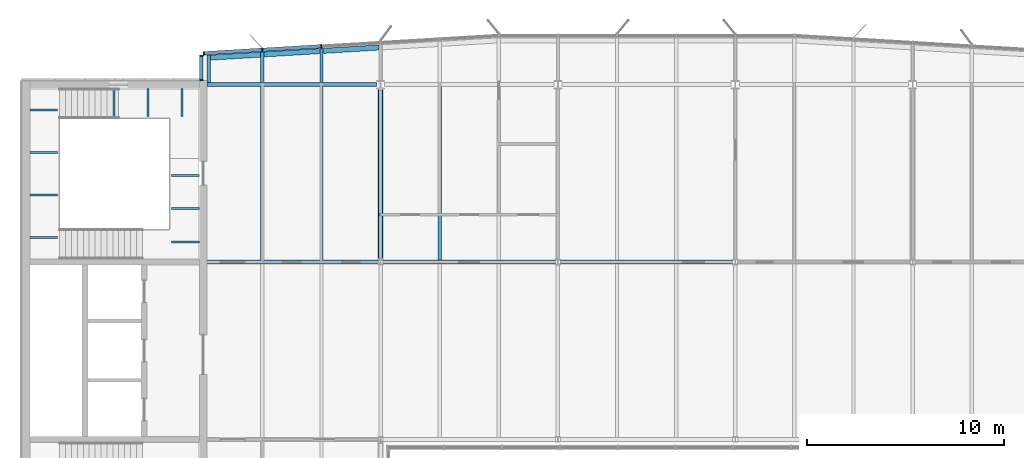
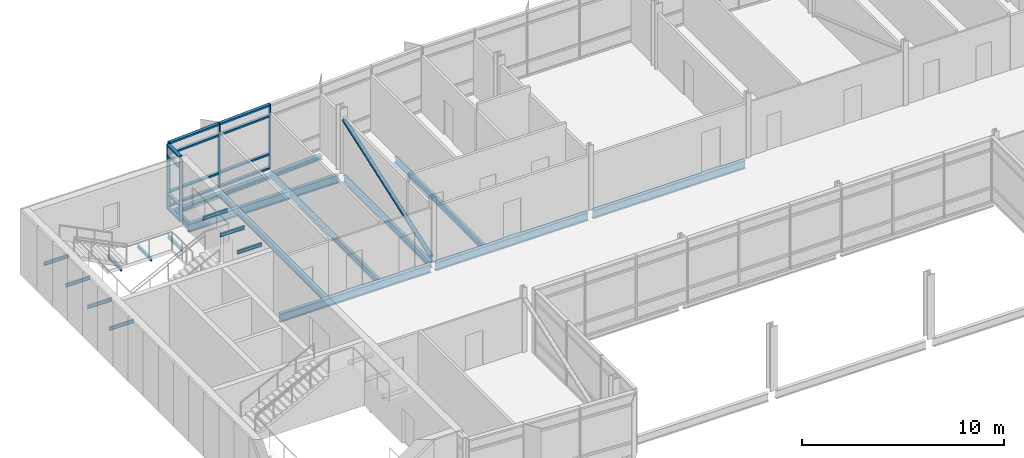
# One storey, part 4 of 20: 24 beams, 18 members, 2 elements without a shape of their own.
"""IFC4 building model written with IfcOpenShell, lengths in metres."""

from ifc_helpers import new_model, si_unit, direction, frame, origin, origin_2d, place, context, subcontext, project, spatial, rectangle, hollow_circle, i_section, extrude, material, material_profile, profile_set, type_object, element, aggregate, save


model = new_model("IFC4")

# Units and contexts
model_context = context("Model", 3, precision=1e-05, world=origin(), true_north=direction((0.0, 1.0)))
body_context = subcontext(model_context, "Body", "Model", "MODEL_VIEW")
ifc_project = project(units=[si_unit("LENGTHUNIT", "METRE"), si_unit("AREAUNIT", "SQUARE_METRE"), si_unit("VOLUMEUNIT", "CUBIC_METRE"), si_unit("PLANEANGLEUNIT", "RADIAN"), si_unit("MASSUNIT", "GRAM", prefix="KILO")], contexts=[model_context])

# Site, building, storey
site_placement = place(None, origin())
site = spatial("IfcSite", under=ifc_project, at=site_placement, CompositionType="ELEMENT")
building_placement = place(site_placement, origin())
building = spatial("IfcBuilding", under=site, at=building_placement, Name="Azimuth Sports and Learning Centre", CompositionType="ELEMENT")
storey_placement = place(building_placement, frame((0.0, 0.0, 71.39990234375)))
storey = spatial("IfcBuildingStorey", under=building, at=storey_placement, Name="L16", CompositionType="ELEMENT", Elevation=71.39990234375)

# Beams
ifc_material_1 = material(Name="Steel S355", Category="steel")
ifc_material_profile_1 = material_profile(ifc_material_1, i_section(OverallWidth=0.10009765625, OverallDepth=0.199951171875, WebThickness=0.005615234375, FlangeThickness=0.008544921875, FilletRadius=0.011962890625, at=origin_2d()), Name="IPE 200")
ifc_profile_set_1 = profile_set([ifc_material_profile_1], Name="Steel S355")
beam_type_1 = type_object("IfcBeamType", Name="Beam IPE 200", PredefinedType="BEAM", material=ifc_profile_set_1)
for number, where, z_axis, x_axis, name in (
    (1, (58.473388671875, 116.800048828125, -0.2998046875), (0.0, -1.0, 0.0), (1.0, 0.0, 0.0), "Landing bracket W2 L16 337"),
    (2, (60.199951171875, 116.800048828125, -0.2998046875), (0.0, -1.0, 0.0), (1.0, 0.0, 0.0), "Landing bracket W2 L16 338"),
    (3, (61.9267578125, 116.800048828125, -0.2998046875), (0.0, -1.0, 0.0), (1.0, 0.0, 0.0), "Landing bracket W2 L16 339"),
    (4, (54.199951171875, 109.23876953125, 1.35009765625), (1.0, 0.0, 0.0), (0.0, 1.0, 0.0), "Landing bracket W2 L16 340"),
    (5, (54.199951171875, 111.396240234375, 1.35009765625), (1.0, 0.0, 0.0), (0.0, 1.0, 0.0), "Landing bracket W2 L16 341"),
    (6, (54.199951171875, 113.5537109375, 1.35009765625), (1.0, 0.0, 0.0), (0.0, 1.0, 0.0), "Landing bracket W2 L16 342"),
    (7, (54.199951171875, 115.711181640625, 1.35009765625), (1.0, 0.0, 0.0), (0.0, 1.0, 0.0), "Landing bracket W2 L16 343"),
    (8, (62.800048828125, 109.00830078125, 3.60009765625), (-1.0, 0.0, 0.0), (0.0, -1.0, 0.0), "Landing bracket W2 L16 344"),
    (9, (62.800048828125, 110.705078125, 3.60009765625), (-1.0, 0.0, 0.0), (0.0, -1.0, 0.0), "Landing bracket W2 L16 345"),
    (10, (62.800048828125, 112.401611328125, 3.60009765625), (-1.0, 0.0, 0.0), (0.0, -1.0, 0.0), "Landing bracket W2 L16 346"),
):
    element("IfcBeam", number, at=place(storey_placement, frame(where, z_axis=z_axis, x_axis=x_axis)), inside=storey, type_object=beam_type_1, Name=name, PredefinedType="BEAM", context=body_context, shape_type="SweptSolid", body=[
        extrude(i_section(OverallWidth=0.10009765625, OverallDepth=0.199951171875, WebThickness=0.005615234375, FlangeThickness=0.008544921875, FilletRadius=0.011962890625, at=origin_2d()), origin(), (0.0, 0.0, 1.0), 1.41015625),
    ])
ifc_material_2 = material(Name="Steel S355", Category="steel")
ifc_material_profile_2 = material_profile(ifc_material_2, i_section(OverallWidth=0.179931640625, OverallDepth=0.39990234375, WebThickness=0.008544921875, FlangeThickness=0.013427734375, FilletRadius=0.02099609375, at=origin_2d()), Name="IPE 400")
ifc_profile_set_2 = profile_set([ifc_material_profile_2], Name="Steel S355")
beam_type_2 = type_object("IfcBeamType", Name="Beam IPE 400", PredefinedType="BEAM", material=ifc_profile_set_2)
beam_1_placement = place(storey_placement, frame((72.0, 108.1298828125, -0.329833984375), z_axis=(0.0, 1.0, 0.0), x_axis=(-1.0, 0.0, 0.0)))
element("IfcBeam", 11, at=beam_1_placement, inside=storey, type_object=beam_type_2, Name="Tower tie", PredefinedType="BEAM", context=body_context, shape_type="SweptSolid", body=[
    extrude(i_section(OverallWidth=0.179931640625, OverallDepth=0.39990234375, WebThickness=0.008544921875, FlangeThickness=0.013427734375, FilletRadius=0.02099609375, at=origin_2d()), origin(), (0.0, 0.0, 1.0), 8.652587890625),
])
ifc_material_3 = material(Name="Steel S355", Category="steel")
ifc_material_profile_3 = material_profile(ifc_material_3, i_section(OverallWidth=0.199951171875, OverallDepth=0.5, WebThickness=0.01025390625, FlangeThickness=0.01611328125, FilletRadius=0.02099609375, at=origin_2d()), Name="IPE 500")
ifc_profile_set_3 = profile_set([ifc_material_profile_3], Name="Steel S355")
beam_type_3 = type_object("IfcBeamType", Name="Beam IPE 500", PredefinedType="BEAM", material=ifc_profile_set_3)
beam_2_placement = place(storey_placement, frame((63.199951171875, 108.0, -0.3798828125), z_axis=(1.0, 0.0, 0.0), x_axis=(0.0, 1.0, 0.0)))
element("IfcBeam", 12, at=beam_2_placement, inside=storey, type_object=beam_type_3, Name="Tower girder L16", PredefinedType="BEAM", context=body_context, shape_type="SweptSolid", body=[
    extrude(i_section(OverallWidth=0.199951171875, OverallDepth=0.5, WebThickness=0.01025390625, FlangeThickness=0.01611328125, FilletRadius=0.02099609375, at=origin_2d()), origin(), (0.0, 0.0, 1.0), 8.670166015625),
])
for number, where, z_axis, x_axis, name in (
    (13, (72.1298828125, 108.0, -0.3798828125), (1.0, 0.0, 0.0), (0.0, 1.0, 0.0), "Tower girder L16"),
    (14, (81.1298828125, 108.0, -0.3798828125), (1.0, 0.0, 0.0), (0.0, 1.0, 0.0), "Tower girder L16"),
):
    element("IfcBeam", number, at=place(storey_placement, frame(where, z_axis=z_axis, x_axis=x_axis)), inside=storey, type_object=beam_type_3, Name=name, PredefinedType="BEAM", context=body_context, shape_type="SweptSolid", body=[
        extrude(i_section(OverallWidth=0.199951171875, OverallDepth=0.5, WebThickness=0.01025390625, FlangeThickness=0.01611328125, FilletRadius=0.02099609375, at=origin_2d()), origin(), (0.0, 0.0, 1.0), 8.740234375),
    ])
beam_3_placement = place(storey_placement, frame((63.199951171875, 117.0, -0.3798828125), z_axis=(1.0, 0.0, 0.0), x_axis=(0.0, 1.0, 0.0)))
element("IfcBeam", 15, at=beam_3_placement, inside=storey, type_object=beam_type_3, Name="Tower girder L16", PredefinedType="BEAM", context=body_context, shape_type="SweptSolid", body=[
    extrude(i_section(OverallWidth=0.199951171875, OverallDepth=0.5, WebThickness=0.01025390625, FlangeThickness=0.01611328125, FilletRadius=0.02099609375, at=origin_2d()), origin(), (0.0, 0.0, 1.0), 8.593994140625),
])

# Member
ifc_material_4 = material(Name="Steel S355", Category="steel")
ifc_material_profile_4 = material_profile(ifc_material_4, hollow_circle(Radius=0.122314453125, WallThickness=0.012451171875, at=origin_2d()), Name="CHS 244.5x12.5")
ifc_profile_set_4 = profile_set([ifc_material_profile_4], Name="Steel S355")
member_type_1 = type_object("IfcMemberType", Name="Brace CHS 244.5x12.5", PredefinedType="BRACE", material=ifc_profile_set_4)
member_1_placement = place(storey_placement, frame((72.0, 108.150634765625, 0.169677734375), z_axis=(0.0, 0.943274861537, 0.332012854558), x_axis=(-1.0, 0.0, 0.0)))
element("IfcMember", 16, at=member_1_placement, inside=storey, type_object=member_type_1, Name="Tower brace 9 L16", PredefinedType="BRACE", context=body_context, shape_type="SweptSolid", body=[
    extrude(hollow_circle(Radius=0.122314453125, WallThickness=0.012451171875, at=origin_2d()), origin(), (0.0, 0.0, 1.0), 9.129150390625),
])

# Beams
ifc_material_5 = material(Name="Steel S355", Category="steel")
ifc_material_profile_5 = material_profile(ifc_material_5, i_section(OverallWidth=0.169921875, OverallDepth=0.360107421875, WebThickness=0.008056640625, FlangeThickness=0.0126953125, FilletRadius=0.01806640625, at=origin_2d()), Name="IPE 360")
ifc_profile_set_5 = profile_set([ifc_material_profile_5], Name="Steel S355")
beam_type_4 = type_object("IfcBeamType", Name="Cantilever stub IPE 360", PredefinedType="JOIST", material=ifc_profile_set_5)
beam_4_placement = place(storey_placement, frame((63.284912109375, 117.10009765625, -0.309814453125), z_axis=(0.0, 1.0, 0.0), x_axis=(-1.0, 0.0, 0.0)))
element("IfcBeam", 17, at=beam_4_placement, inside=storey, type_object=beam_type_4, Name="Tower cantilever stub", PredefinedType="JOIST", context=body_context, shape_type="SweptSolid", body=[
    extrude(i_section(OverallWidth=0.169921875, OverallDepth=0.360107421875, WebThickness=0.008056640625, FlangeThickness=0.0126953125, FilletRadius=0.01806640625, at=origin_2d()), origin(), (0.0, 0.0, 1.0), 1.39697265625),
])
beam_5_placement = place(storey_placement, frame((66.0, 117.10009765625, -0.309814453125), z_axis=(0.0, 1.0, 0.0), x_axis=(-1.0, 0.0, 0.0)))
element("IfcBeam", 18, at=beam_5_placement, inside=storey, type_object=beam_type_4, Name="Tower cantilever stub", PredefinedType="JOIST", context=body_context, shape_type="SweptSolid", body=[
    extrude(i_section(OverallWidth=0.169921875, OverallDepth=0.360107421875, WebThickness=0.008056640625, FlangeThickness=0.0126953125, FilletRadius=0.01806640625, at=origin_2d()), origin(), (0.0, 0.0, 1.0), 1.559814453125),
])
beam_6_placement = place(storey_placement, frame((69.0, 117.10009765625, -0.309814453125), z_axis=(0.0, 1.0, 0.0), x_axis=(-1.0, 0.0, 0.0)))
element("IfcBeam", 19, at=beam_6_placement, inside=storey, type_object=beam_type_4, Name="Tower cantilever stub", PredefinedType="JOIST", context=body_context, shape_type="SweptSolid", body=[
    extrude(i_section(OverallWidth=0.169921875, OverallDepth=0.360107421875, WebThickness=0.008056640625, FlangeThickness=0.0126953125, FilletRadius=0.01806640625, at=origin_2d()), origin(), (0.0, 0.0, 1.0), 1.739990234375),
])
ifc_material_6 = material(Name="Steel S355", Category="steel")
ifc_material_profile_6 = material_profile(ifc_material_6, i_section(OverallWidth=0.260009765625, OverallDepth=0.25, WebThickness=0.007568359375, FlangeThickness=0.012451171875, FilletRadius=0.02392578125, at=origin_2d()), Name="HEA 260")
ifc_profile_set_6 = profile_set([ifc_material_profile_6], Name="Steel S355")
beam_type_5 = type_object("IfcBeamType", Name="Edge beam HEA 260", PredefinedType="SPANDREL", material=ifc_profile_set_6)
beam_7_placement = place(storey_placement, frame((63.3701171875, 118.372314453125, -0.2548828125), z_axis=(0.998207363591, 0.059850307199, 0.0), x_axis=(-0.059850307199, 0.998207363591, 0.0)))
element("IfcBeam", 20, at=beam_7_placement, inside=storey, type_object=beam_type_5, Name="Tower edge beam", PredefinedType="SPANDREL", context=body_context, shape_type="SweptSolid", body=[
    extrude(i_section(OverallWidth=0.260009765625, OverallDepth=0.25, WebThickness=0.007568359375, FlangeThickness=0.012451171875, FilletRadius=0.02392578125, at=origin_2d()), origin(), (0.0, 0.0, 1.0), 2.549560546875),
])
for number, where, z_axis, x_axis, name in (
    (21, (66.0849609375, 118.53515625, -0.2548828125), (0.998207521518, 0.059847673176, 0.0), (-0.059847673176, 0.998207521518, 0.0), "Tower edge beam"),
    (22, (69.0849609375, 118.715087890625, -0.2548828125), (0.998202373506, 0.059933475842, 0.0), (-0.059933475842, 0.998202373506, 0.0), "Tower edge beam"),
):
    element("IfcBeam", number, at=place(storey_placement, frame(where, z_axis=z_axis, x_axis=x_axis)), inside=storey, type_object=beam_type_5, Name=name, PredefinedType="SPANDREL", context=body_context, shape_type="SweptSolid", body=[
        extrude(i_section(OverallWidth=0.260009765625, OverallDepth=0.25, WebThickness=0.007568359375, FlangeThickness=0.012451171875, FilletRadius=0.02392578125, at=origin_2d()), origin(), (0.0, 0.0, 1.0), 2.835205078125),
    ])
ifc_material_7 = material(Name="Steel S355", Category="steel")
ifc_material_profile_7 = material_profile(ifc_material_7, i_section(OverallWidth=0.169921875, OverallDepth=0.360107421875, WebThickness=0.008056640625, FlangeThickness=0.0126953125, FilletRadius=0.01806640625, at=origin_2d()), Name="IPE 360")
ifc_profile_set_7 = profile_set([ifc_material_profile_7], Name="Steel S355")
beam_type_6 = type_object("IfcBeamType", Name="Joist IPE 360", PredefinedType="JOIST", material=ifc_profile_set_7)
for number, where, z_axis, x_axis, name in (
    (23, (66.0, 108.10009765625, -0.309814453125), (0.0, 1.0, 0.0), (-1.0, 0.0, 0.0), "Tower joist"),
    (24, (69.0, 108.10009765625, -0.309814453125), (0.0, 1.0, 0.0), (-1.0, 0.0, 0.0), "Tower joist"),
    (25, (75.0, 108.10009765625, -0.309814453125), (0.0, 1.0, 0.0), (-1.0, 0.0, 0.0), "Tower joist"),
):
    element("IfcBeam", number, at=place(storey_placement, frame(where, z_axis=z_axis, x_axis=x_axis)), inside=storey, type_object=beam_type_6, Name=name, PredefinedType="JOIST", context=body_context, shape_type="SweptSolid", body=[
        extrude(i_section(OverallWidth=0.169921875, OverallDepth=0.360107421875, WebThickness=0.008056640625, FlangeThickness=0.0126953125, FilletRadius=0.01806640625, at=origin_2d()), origin(), (0.0, 0.0, 1.0), 8.7998046875),
    ])

# Curtain wall, members
ifc_material_8 = material(Name="Aluminium and glass", Category="aluminium")
curtain_wall_type_1 = type_object("IfcCurtainWallType", Name="Curtain wall tower north 180", PredefinedType="NOTDEFINED", material=ifc_material_8)
curtain_wall_1_placement = place(storey_placement, origin())
curtain_wall_1 = element("IfcCurtainWall", 26, at=curtain_wall_1_placement, inside=storey, type_object=curtain_wall_type_1, Name="Curtain wall CW16-011", PredefinedType="NOTDEFINED")
ifc_material_9 = material(Name="Aluminium", Category="aluminium")
ifc_material_profile_8 = material_profile(ifc_material_9, rectangle(XDim=0.179931640625, YDim=0.06005859375, at=origin_2d()), Name="Mullion 60x180")
ifc_profile_set_8 = profile_set([ifc_material_profile_8], Name="Aluminium")
member_type_2 = type_object("IfcMemberType", Name="Mullion 60x180", PredefinedType="MULLION", material=ifc_profile_set_8)
member_2_placement = place(storey_placement, frame((68.99462890625, 118.949951171875, 0.0), z_axis=(0.0, 0.0, 1.0), x_axis=(0.059891991812, -0.998204863401, 0.0)))
member_2 = element("IfcMember", 27, at=member_2_placement, type_object=member_type_2, Name="CW16-011 mullion 4", PredefinedType="MULLION", context=body_context, shape_type="SweptSolid", body=[
    extrude(rectangle(XDim=0.179931640625, YDim=0.06005859375, at=origin_2d()), origin(), (0.0, 0.0, 1.0), 3.900146484375),
])
member_3_placement = place(storey_placement, frame((65.99462890625, 118.769775390625, 0.0), z_axis=(0.0, 0.0, 1.0), x_axis=(0.059891991812, -0.998204863401, 0.0)))
member_3 = element("IfcMember", 28, at=member_3_placement, type_object=member_type_2, Name="CW16-011 mullion 5", PredefinedType="MULLION", context=body_context, shape_type="SweptSolid", body=[
    extrude(rectangle(XDim=0.179931640625, YDim=0.06005859375, at=origin_2d()), origin(), (0.0, 0.0, 1.0), 3.900146484375),
])
member_4_placement = place(storey_placement, frame((63.024658203125, 118.591552734375, 0.0), z_axis=(0.0, 0.0, 1.0), x_axis=(0.059891991812, -0.998204863401, 0.0)))
member_4 = element("IfcMember", 29, at=member_4_placement, type_object=member_type_2, Name="CW16-011 mullion 6", PredefinedType="MULLION", context=body_context, shape_type="SweptSolid", body=[
    extrude(rectangle(XDim=0.179931640625, YDim=0.06005859375, at=origin_2d()), origin(), (0.0, 0.0, 1.0), 3.900146484375),
])

ifc_material_10 = material(Name="Aluminium and glass", Category="aluminium")
curtain_wall_type_2 = type_object("IfcCurtainWallType", Name="Curtain wall tower return 180", PredefinedType="NOTDEFINED", material=ifc_material_10)
curtain_wall_2_placement = place(storey_placement, origin())
curtain_wall_2 = element("IfcCurtainWall", 30, at=curtain_wall_2_placement, inside=storey, type_object=curtain_wall_type_2, Name="Curtain wall CW16-012", PredefinedType="NOTDEFINED")
member_5_placement = place(storey_placement, frame((62.909912109375, 118.469970703125, 0.0), z_axis=(0.0, 0.0, 1.0), x_axis=(1.0, 0.0, 0.0)))
member_5 = element("IfcMember", 31, at=member_5_placement, type_object=member_type_2, Name="CW16-012 mullion 1", PredefinedType="MULLION", context=body_context, shape_type="SweptSolid", body=[
    extrude(rectangle(XDim=0.179931640625, YDim=0.06005859375, at=origin_2d()), origin(), (0.0, 0.0, 1.0), 3.900146484375),
])
member_6_placement = place(storey_placement, frame((62.909912109375, 117.22998046875, 0.0), z_axis=(0.0, 0.0, 1.0), x_axis=(1.0, 0.0, 0.0)))
member_6 = element("IfcMember", 32, at=member_6_placement, type_object=member_type_2, Name="CW16-012 mullion 2", PredefinedType="MULLION", context=body_context, shape_type="SweptSolid", body=[
    extrude(rectangle(XDim=0.179931640625, YDim=0.06005859375, at=origin_2d()), origin(), (0.0, 0.0, 1.0), 3.900146484375),
])

# Member
ifc_material_11 = material(Name="Aluminium", Category="aluminium")
ifc_material_profile_9 = material_profile(ifc_material_11, rectangle(XDim=0.179931640625, YDim=0.10009765625, at=origin_2d()), Name="Transom 100x180")
ifc_profile_set_9 = profile_set([ifc_material_profile_9], Name="Aluminium")
member_type_3 = type_object("IfcMemberType", Name="Transom 100x180", PredefinedType="USERDEFINED", material=ifc_profile_set_9)
member_7_placement = place(storey_placement, frame((68.964599609375, 118.947998046875, 0.050048828125), z_axis=(-0.998207421552, -0.059849340505, 0.0), x_axis=(0.059849340505, -0.998207421552, 0.0)))
member_7 = element("IfcMember", 33, at=member_7_placement, type_object=member_type_3, Name="CW16-011 transom 4.1", ObjectType="TRANSOM", PredefinedType="USERDEFINED", context=body_context, shape_type="SweptSolid", body=[
    extrude(rectangle(XDim=0.179931640625, YDim=0.10009765625, at=origin_2d()), origin(), (0.0, 0.0, 1.0), 2.9453125),
])

member_8_placement = place(storey_placement, frame((68.964599609375, 118.947998046875, 0.900146484375), z_axis=(-0.998207421552, -0.059849340505, 0.0), x_axis=(0.059849340505, -0.998207421552, 0.0)))
member_8 = element("IfcMember", 34, at=member_8_placement, type_object=member_type_3, Name="CW16-011 transom 4.2", ObjectType="TRANSOM", PredefinedType="USERDEFINED", context=body_context, shape_type="SweptSolid", body=[
    extrude(rectangle(XDim=0.179931640625, YDim=0.10009765625, at=origin_2d()), origin(), (0.0, 0.0, 1.0), 2.9453125),
])

member_9_placement = place(storey_placement, frame((68.964599609375, 118.947998046875, 3.2001953125), z_axis=(-0.998207421552, -0.059849340505, 0.0), x_axis=(0.059849340505, -0.998207421552, 0.0)))
member_9 = element("IfcMember", 35, at=member_9_placement, type_object=member_type_3, Name="CW16-011 transom 4.3", ObjectType="TRANSOM", PredefinedType="USERDEFINED", context=body_context, shape_type="SweptSolid", body=[
    extrude(rectangle(XDim=0.179931640625, YDim=0.10009765625, at=origin_2d()), origin(), (0.0, 0.0, 1.0), 2.9453125),
])

member_10_placement = place(storey_placement, frame((68.964599609375, 118.947998046875, 3.85009765625), z_axis=(-0.998207421552, -0.059849340505, 0.0), x_axis=(0.059849340505, -0.998207421552, 0.0)))
member_10 = element("IfcMember", 36, at=member_10_placement, type_object=member_type_3, Name="CW16-011 transom 4.4", ObjectType="TRANSOM", PredefinedType="USERDEFINED", context=body_context, shape_type="SweptSolid", body=[
    extrude(rectangle(XDim=0.179931640625, YDim=0.10009765625, at=origin_2d()), origin(), (0.0, 0.0, 1.0), 2.9453125),
])

member_11_placement = place(storey_placement, frame((65.964599609375, 118.76806640625, 0.050048828125), z_axis=(-0.998205846627, -0.059875602377, 0.0), x_axis=(0.059875602377, -0.998205846627, 0.0)))
member_11 = element("IfcMember", 37, at=member_11_placement, type_object=member_type_3, Name="CW16-011 transom 5.1", ObjectType="TRANSOM", PredefinedType="USERDEFINED", context=body_context, shape_type="SweptSolid", body=[
    extrude(rectangle(XDim=0.179931640625, YDim=0.10009765625, at=origin_2d()), origin(), (0.0, 0.0, 1.0), 2.915283203125),
])

member_12_placement = place(storey_placement, frame((65.964599609375, 118.76806640625, 0.900146484375), z_axis=(-0.998205846627, -0.059875602377, 0.0), x_axis=(0.059875602377, -0.998205846627, 0.0)))
member_12 = element("IfcMember", 38, at=member_12_placement, type_object=member_type_3, Name="CW16-011 transom 5.2", ObjectType="TRANSOM", PredefinedType="USERDEFINED", context=body_context, shape_type="SweptSolid", body=[
    extrude(rectangle(XDim=0.179931640625, YDim=0.10009765625, at=origin_2d()), origin(), (0.0, 0.0, 1.0), 2.915283203125),
])

member_13_placement = place(storey_placement, frame((65.964599609375, 118.76806640625, 3.2001953125), z_axis=(-0.998205846627, -0.059875602377, 0.0), x_axis=(0.059875602377, -0.998205846627, 0.0)))
member_13 = element("IfcMember", 39, at=member_13_placement, type_object=member_type_3, Name="CW16-011 transom 5.3", ObjectType="TRANSOM", PredefinedType="USERDEFINED", context=body_context, shape_type="SweptSolid", body=[
    extrude(rectangle(XDim=0.179931640625, YDim=0.10009765625, at=origin_2d()), origin(), (0.0, 0.0, 1.0), 2.915283203125),
])

member_14_placement = place(storey_placement, frame((65.964599609375, 118.76806640625, 3.85009765625), z_axis=(-0.998205846627, -0.059875602377, 0.0), x_axis=(0.059875602377, -0.998205846627, 0.0)))
member_14 = element("IfcMember", 40, at=member_14_placement, type_object=member_type_3, Name="CW16-011 transom 5.4", ObjectType="TRANSOM", PredefinedType="USERDEFINED", context=body_context, shape_type="SweptSolid", body=[
    extrude(rectangle(XDim=0.179931640625, YDim=0.10009765625, at=origin_2d()), origin(), (0.0, 0.0, 1.0), 2.915283203125),
])

aggregate(curtain_wall_1, [member_2, member_3, member_4, member_7, member_8, member_9, member_10, member_11, member_12, member_13, member_14])

member_15_placement = place(storey_placement, frame((62.909912109375, 118.43994140625, 0.050048828125), z_axis=(0.0, -1.0, 0.0), x_axis=(1.0, 0.0, 0.0)))
member_15 = element("IfcMember", 41, at=member_15_placement, type_object=member_type_3, Name="CW16-012 transom 1.1", ObjectType="TRANSOM", PredefinedType="USERDEFINED", context=body_context, shape_type="SweptSolid", body=[
    extrude(rectangle(XDim=0.179931640625, YDim=0.10009765625, at=origin_2d()), origin(), (0.0, 0.0, 1.0), 1.179931640625),
])

member_16_placement = place(storey_placement, frame((62.909912109375, 118.43994140625, 0.900146484375), z_axis=(0.0, -1.0, 0.0), x_axis=(1.0, 0.0, 0.0)))
member_16 = element("IfcMember", 42, at=member_16_placement, type_object=member_type_3, Name="CW16-012 transom 1.2", ObjectType="TRANSOM", PredefinedType="USERDEFINED", context=body_context, shape_type="SweptSolid", body=[
    extrude(rectangle(XDim=0.179931640625, YDim=0.10009765625, at=origin_2d()), origin(), (0.0, 0.0, 1.0), 1.179931640625),
])

member_17_placement = place(storey_placement, frame((62.909912109375, 118.43994140625, 3.2001953125), z_axis=(0.0, -1.0, 0.0), x_axis=(1.0, 0.0, 0.0)))
member_17 = element("IfcMember", 43, at=member_17_placement, type_object=member_type_3, Name="CW16-012 transom 1.3", ObjectType="TRANSOM", PredefinedType="USERDEFINED", context=body_context, shape_type="SweptSolid", body=[
    extrude(rectangle(XDim=0.179931640625, YDim=0.10009765625, at=origin_2d()), origin(), (0.0, 0.0, 1.0), 1.179931640625),
])

member_18_placement = place(storey_placement, frame((62.909912109375, 118.43994140625, 3.85009765625), z_axis=(0.0, -1.0, 0.0), x_axis=(1.0, 0.0, 0.0)))
member_18 = element("IfcMember", 44, at=member_18_placement, type_object=member_type_3, Name="CW16-012 transom 1.4", ObjectType="TRANSOM", PredefinedType="USERDEFINED", context=body_context, shape_type="SweptSolid", body=[
    extrude(rectangle(XDim=0.179931640625, YDim=0.10009765625, at=origin_2d()), origin(), (0.0, 0.0, 1.0), 1.179931640625),
])

aggregate(curtain_wall_2, [member_5, member_6, member_15, member_16, member_17, member_18])

save(model, "model.ifc")
